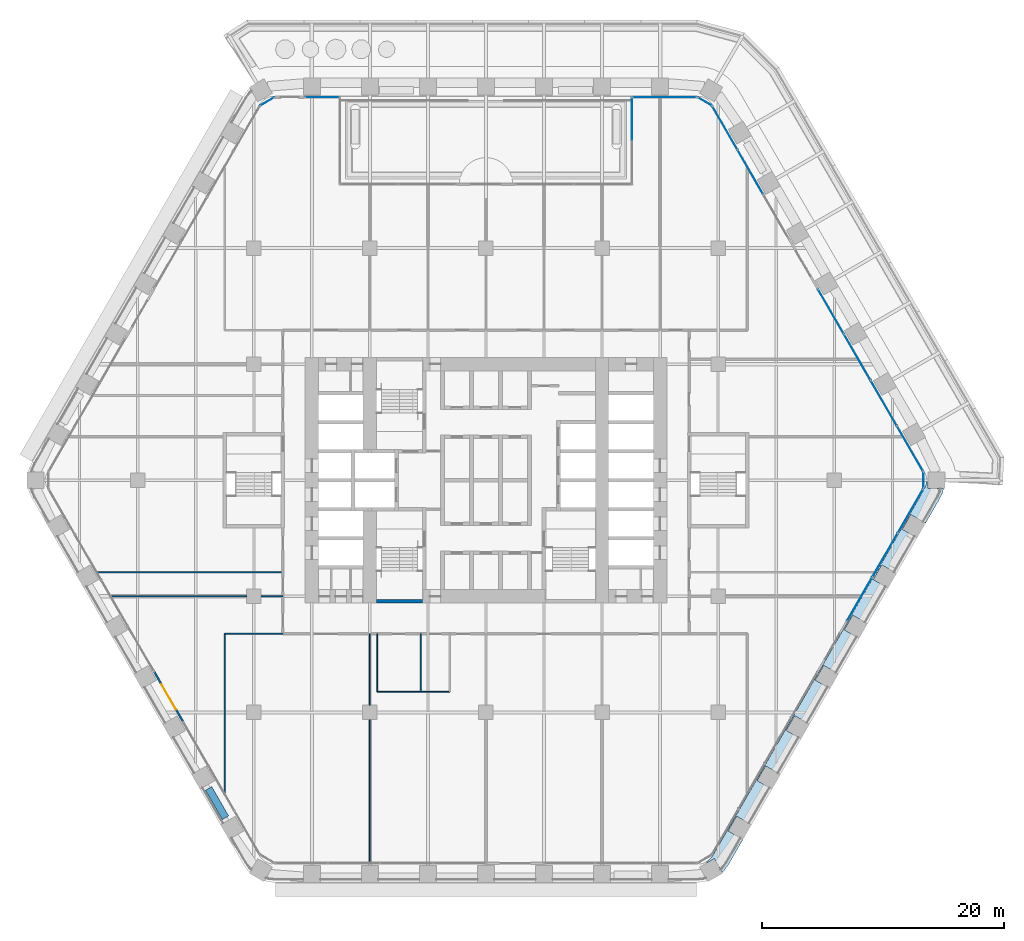
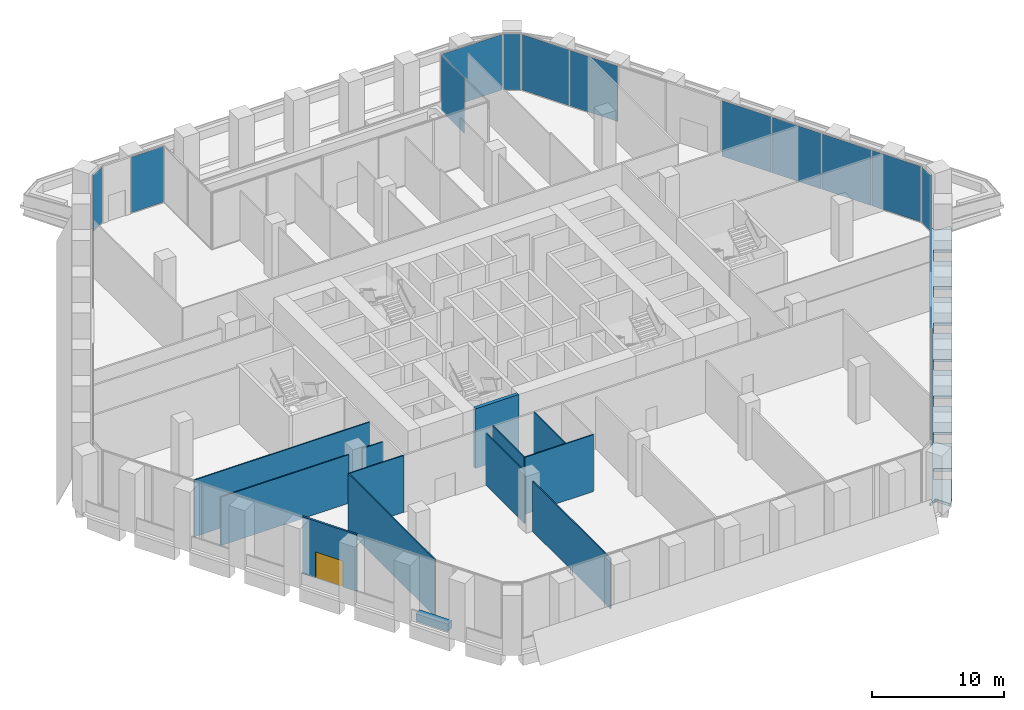
# One storey, part 18 of 30: 15 plates, 13 walls, 1 door, 1 slab, 1 opening, 9 elements without a shape of their own.
"""IFC4 building model written with IfcOpenShell, lengths in metres."""

from ifc_helpers import new_model, si_unit, direction, frame, frame_2d, origin, origin_2d, place, context, subcontext, project, spatial, polyline, rectangle, outline, extrude, material, layer, layer_set, type_object, element, fill, aggregate, save


model = new_model("IFC4")

# Units and contexts
model_context = context("Model", 3, precision=1e-05, world=origin(), true_north=direction((0.0, 1.0)))
body_context = subcontext(model_context, "Body", "Model", "MODEL_VIEW")
ifc_project = project(units=[si_unit("LENGTHUNIT", "METRE"), si_unit("AREAUNIT", "SQUARE_METRE"), si_unit("VOLUMEUNIT", "CUBIC_METRE"), si_unit("PLANEANGLEUNIT", "RADIAN"), si_unit("MASSUNIT", "GRAM", prefix="KILO")], contexts=[model_context])

# Site, building, storey
site_placement = place(None, origin())
site = spatial("IfcSite", under=ifc_project, at=site_placement, CompositionType="ELEMENT")
building_placement = place(site_placement, origin())
building = spatial("IfcBuilding", under=site, at=building_placement, Name="Kolab Exchange Tower", CompositionType="ELEMENT")
storey_placement = place(building_placement, frame((0.0, 0.0, 38.89990234375)))
storey = spatial("IfcBuildingStorey", under=building, at=storey_placement, Name="L07", CompositionType="ELEMENT", Elevation=38.89990234375)

# Slab
ifc_material_1 = material(Name="Concrete C35/45", Category="concrete")
ifc_layer_1 = layer(ifc_material_1, 0.25)
ifc_layer_set_1 = layer_set([ifc_layer_1], Name="Concrete C35/45")
slab_type = type_object("IfcSlabType", Name="LOGGIA SLAB 250", PredefinedType="FLOOR", material=ifc_layer_set_1)
slab_placement = place(storey_placement, frame((0.0, 0.0, -0.25)))
element("IfcSlab", 1, at=slab_placement, inside=storey, type_object=slab_type, Name="slab/L07/loggia/2-0", PredefinedType="FLOOR", context=body_context, shape_type="SweptSolid", body=[
    extrude(outline(polyline([(19.76611328125, -32.183837890625), (20.06591796875, -31.75537109375), (21.25, -29.70458984375), (20.03759765625, -29.004638671875), (20.737548828125, -27.792236328125), (21.949951171875, -28.4921875), (23.64990234375, -25.5478515625), (22.4375, -24.84765625), (23.137451171875, -23.63525390625), (24.35009765625, -24.335205078125), (26.050048828125, -21.390869140625), (24.837646484375, -20.69091796875), (25.53759765625, -19.478271484375), (26.75, -20.178466796875), (28.449951171875, -17.23388671875), (27.237548828125, -16.533935546875), (27.9375, -15.321533203125), (29.14990234375, -16.021484375), (30.85009765625, -13.076904296875), (29.637451171875, -12.376953125), (30.337646484375, -11.16455078125), (31.550048828125, -11.864501953125), (33.25, -8.920166015625), (32.03759765625, -8.219970703125), (32.737548828125, -7.007568359375), (33.949951171875, -7.70751953125), (35.64990234375, -4.76318359375), (34.4375, -4.063232421875), (35.137451171875, -2.8505859375), (36.35009765625, -3.55078125), (37.533935546875, -1.5), (37.7548828125, -1.026123046875), (37.84228515625, -0.699951171875), (36.535888671875, -0.699951171875), (36.535888671875, -0.0810546875), (36.42919921875, -0.07568359375), (36.4130859375, -0.260498046875), (36.345458984375, -0.512939453125), (36.23486328125, -0.75), (18.76708984375, -31.00537109375), (18.616943359375, -31.219482421875), (18.43212890625, -31.404541015625), (18.218017578125, -31.554443359375), (18.26806640625, -31.64111328125), (18.874267578125, -31.291015625), (19.52734375, -32.42236328125), (19.76611328125, -32.183837890625)])), origin(), (0.0, 0.0, 1.0), 0.25),
])

# Curtain wall, plate
ifc_material_2 = material(Name="Aluminium EN AW-6063 T6", Category="aluminium")
curtain_wall_type = type_object("IfcCurtainWallType", Name="UNITISED LOW ZONE CURTAIN WALL", PredefinedType="NOTDEFINED", material=ifc_material_2)
curtain_wall_1_placement = place(storey_placement, origin())
curtain_wall_1 = element("IfcCurtainWall", 2, at=curtain_wall_1_placement, inside=storey, type_object=curtain_wall_type, Name="cw/L07/F1-l-1", PredefinedType="NOTDEFINED")
ifc_material_3 = material(Name="Clear insulated glazing unit", Category="glass")
ifc_layer_2 = layer(ifc_material_3, 0.02392578125)
ifc_layer_set_2 = layer_set([ifc_layer_2], Name="Clear insulated glazing unit")
plate_type = type_object("IfcPlateType", Name="UNITISED LOW ZONE GLASS PANEL 24", PredefinedType="CURTAIN_PANEL", material=ifc_layer_set_2)
plate_1_placement = place(storey_placement, frame((-13.5439453125, 31.67529296875, 0.06005859375), z_axis=(0.0, 0.0, 1.0), x_axis=(1.0, 0.0, 0.0)))
plate_1 = element("IfcPlate", 3, at=plate_1_placement, type_object=plate_type, Name="CW1 panel 1.1", PredefinedType="CURTAIN_PANEL", context=body_context, shape_type="SweptSolid", body=[
    extrude(rectangle(XDim=2.807861328125, YDim=0.02392578125, at=origin_2d()), origin(), (0.0, 0.0, 1.0), 5.1298828125),
])
aggregate(curtain_wall_1, [plate_1])

curtain_wall_2_placement = place(storey_placement, origin())
curtain_wall_2 = element("IfcCurtainWall", 4, at=curtain_wall_2_placement, inside=storey, type_object=curtain_wall_type, Name="cw/L07/F1-rr-1", PredefinedType="NOTDEFINED")
plate_2_placement = place(storey_placement, frame((12.080078125, 29.8603515625, 0.06005859375), z_axis=(0.0, 0.0, 1.0), x_axis=(0.0, 1.0, 0.0)))
plate_2 = element("IfcPlate", 5, at=plate_2_placement, type_object=plate_type, Name="CW1 panel 2.1", PredefinedType="CURTAIN_PANEL", context=body_context, shape_type="SweptSolid", body=[
    extrude(rectangle(XDim=3.510009765625, YDim=0.02392578125, at=origin_2d()), origin(), (0.0, 0.0, 1.0), 5.1298828125),
])
aggregate(curtain_wall_2, [plate_2])

curtain_wall_3_placement = place(storey_placement, origin())
curtain_wall_3 = element("IfcCurtainWall", 6, at=curtain_wall_3_placement, inside=storey, type_object=curtain_wall_type, Name="cw/L07/F1-r-1", PredefinedType="NOTDEFINED")
plate_3_placement = place(storey_placement, frame((14.77392578125, 31.67529296875, 0.06005859375), z_axis=(0.0, 0.0, 1.0), x_axis=(1.0, 0.0, 0.0)))
plate_3 = element("IfcPlate", 7, at=plate_3_placement, type_object=plate_type, Name="CW1 panel 1.1", PredefinedType="CURTAIN_PANEL", context=body_context, shape_type="SweptSolid", body=[
    extrude(rectangle(XDim=5.26806640625, YDim=0.02392578125, at=origin_2d()), origin(), (0.0, 0.0, 1.0), 5.1298828125),
])
aggregate(curtain_wall_3, [plate_3])

# Curtain wall, plates
curtain_wall_4_placement = place(storey_placement, origin())
curtain_wall_4 = element("IfcCurtainWall", 8, at=curtain_wall_4_placement, inside=storey, type_object=curtain_wall_type, Name="cw/L07/F2-1", PredefinedType="NOTDEFINED")
plate_4_placement = place(storey_placement, frame((19.760986328125, 29.1240234375, 0.06005859375), z_axis=(0.0, 0.0, 1.0), x_axis=(0.500000017564, -0.866025393644, 0.0)))
plate_4 = element("IfcPlate", 9, at=plate_4_placement, type_object=plate_type, Name="CW1 panel 1.1", PredefinedType="CURTAIN_PANEL", context=body_context, shape_type="SweptSolid", body=[
    extrude(rectangle(XDim=4.132568359375, YDim=0.02392578125, at=origin_2d()), origin(), (0.0, 0.0, 1.0), 5.1298828125),
])
plate_5_placement = place(storey_placement, frame((21.86474609375, 25.47998046875, 0.06005859375), z_axis=(0.0, 0.0, 1.0), x_axis=(0.500000017564, -0.866025393644, 0.0)))
plate_5 = element("IfcPlate", 10, at=plate_5_placement, type_object=plate_type, Name="CW1 panel 2.1", PredefinedType="CURTAIN_PANEL", context=body_context, shape_type="SweptSolid", body=[
    extrude(rectangle(XDim=4.16259765625, YDim=0.02392578125, at=origin_2d()), origin(), (0.0, 0.0, 1.0), 5.1298828125),
])
aggregate(curtain_wall_4, [plate_4, plate_5])

curtain_wall_5_placement = place(storey_placement, origin())
curtain_wall_5 = element("IfcCurtainWall", 11, at=curtain_wall_5_placement, inside=storey, type_object=curtain_wall_type, Name="cw/L07/F2-2", PredefinedType="NOTDEFINED")
plate_6_placement = place(storey_placement, frame((28.531005859375, 13.933837890625, 0.06005859375), z_axis=(0.0, 0.0, 1.0), x_axis=(0.499999968274, -0.866025422102, 0.0)))
plate_6 = element("IfcPlate", 12, at=plate_6_placement, type_object=plate_type, Name="CW1 panel 1.1", PredefinedType="CURTAIN_PANEL", context=body_context, shape_type="SweptSolid", body=[
    extrude(rectangle(XDim=4.277099609375, YDim=0.02392578125, at=origin_2d()), origin(), (0.0, 0.0, 1.0), 5.1298828125),
])
plate_7_placement = place(storey_placement, frame((30.70703125, 10.164794921875, 0.06005859375), z_axis=(0.0, 0.0, 1.0), x_axis=(0.499999968274, -0.866025422102, 0.0)))
plate_7 = element("IfcPlate", 13, at=plate_7_placement, type_object=plate_type, Name="CW1 panel 2.1", PredefinedType="CURTAIN_PANEL", context=body_context, shape_type="SweptSolid", body=[
    extrude(rectangle(XDim=4.306884765625, YDim=0.02392578125, at=origin_2d()), origin(), (0.0, 0.0, 1.0), 5.1298828125),
])
plate_8_placement = place(storey_placement, frame((32.890380859375, 6.3828125, 0.06005859375), z_axis=(0.0, 0.0, 1.0), x_axis=(0.499999968274, -0.866025422102, 0.0)))
plate_8 = element("IfcPlate", 14, at=plate_8_placement, type_object=plate_type, Name="CW1 panel 3.1", PredefinedType="CURTAIN_PANEL", context=body_context, shape_type="SweptSolid", body=[
    extrude(rectangle(XDim=4.306884765625, YDim=0.02392578125, at=origin_2d()), origin(), (0.0, 0.0, 1.0), 5.1298828125),
])
plate_9_placement = place(storey_placement, frame((35.06640625, 2.614013671875, 0.06005859375), z_axis=(0.0, 0.0, 1.0), x_axis=(0.499999968274, -0.866025422102, 0.0)))
plate_9 = element("IfcPlate", 15, at=plate_9_placement, type_object=plate_type, Name="CW1 panel 4.1", PredefinedType="CURTAIN_PANEL", context=body_context, shape_type="SweptSolid", body=[
    extrude(rectangle(XDim=4.277099609375, YDim=0.02392578125, at=origin_2d()), origin(), (0.0, 0.0, 1.0), 5.1298828125),
])
aggregate(curtain_wall_5, [plate_6, plate_7, plate_8, plate_9])

curtain_wall_6_placement = place(storey_placement, origin())
curtain_wall_6 = element("IfcCurtainWall", 16, at=curtain_wall_6_placement, inside=storey, type_object=curtain_wall_type, Name="cw/L07/F3-1", PredefinedType="NOTDEFINED")
plate_10_placement = place(storey_placement, frame((35.1025390625, -2.551513671875, 0.06005859375), z_axis=(0.0, 0.0, 1.0), x_axis=(-0.499999958358, -0.866025427826, 0.0)))
plate_10 = element("IfcPlate", 17, at=plate_10_placement, type_object=plate_type, Name="CW1 panel 1.1", PredefinedType="CURTAIN_PANEL", context=body_context, shape_type="SweptSolid", body=[
    extrude(rectangle(XDim=4.132568359375, YDim=0.02392578125, at=origin_2d()), origin(), (0.0, 0.0, 1.0), 5.1298828125),
])
plate_11_placement = place(storey_placement, frame((32.998779296875, -6.1953125, 0.06005859375), z_axis=(0.0, 0.0, 1.0), x_axis=(-0.499999958358, -0.866025427826, 0.0)))
plate_11 = element("IfcPlate", 18, at=plate_11_placement, type_object=plate_type, Name="CW1 panel 2.1", PredefinedType="CURTAIN_PANEL", context=body_context, shape_type="SweptSolid", body=[
    extrude(rectangle(XDim=4.16259765625, YDim=0.02392578125, at=origin_2d()), origin(), (0.0, 0.0, 1.0), 5.1298828125),
])
plate_12_placement = place(storey_placement, frame((30.894775390625, -9.83935546875, 0.06005859375), z_axis=(0.0, 0.0, 1.0), x_axis=(-0.499999958358, -0.866025427826, 0.0)))
plate_12 = element("IfcPlate", 19, at=plate_12_placement, type_object=plate_type, Name="CW1 panel 3.1", PredefinedType="CURTAIN_PANEL", context=body_context, shape_type="SweptSolid", body=[
    extrude(rectangle(XDim=4.132568359375, YDim=0.02392578125, at=origin_2d()), origin(), (0.0, 0.0, 1.0), 5.1298828125),
])
aggregate(curtain_wall_6, [plate_10, plate_11, plate_12])

# Curtain wall, plate
curtain_wall_7_placement = place(storey_placement, origin())
curtain_wall_7 = element("IfcCurtainWall", 20, at=curtain_wall_7_placement, inside=storey, type_object=curtain_wall_type, Name="cw/L07/F1F2-corner", PredefinedType="NOTDEFINED")
plate_13_placement = place(storey_placement, frame((18.082763671875, 31.3203125, 0.06005859375), z_axis=(0.0, 0.0, 1.0), x_axis=(0.866025390869, -0.50000002237, 0.0)))
plate_13 = element("IfcPlate", 21, at=plate_13_placement, type_object=plate_type, Name="CW1 panel 1.1", PredefinedType="CURTAIN_PANEL", context=body_context, shape_type="SweptSolid", body=[
    extrude(rectangle(XDim=1.300048828125, YDim=0.02392578125, at=origin_2d()), origin(), (0.0, 0.0, 1.0), 5.1298828125),
])
aggregate(curtain_wall_7, [plate_13])

curtain_wall_8_placement = place(storey_placement, origin())
curtain_wall_8 = element("IfcCurtainWall", 22, at=curtain_wall_8_placement, inside=storey, type_object=curtain_wall_type, Name="cw/L07/F2F3-corner", PredefinedType="NOTDEFINED")
plate_14_placement = place(storey_placement, frame((36.165771484375, 0.0, 0.06005859375), z_axis=(0.0, 0.0, 1.0), x_axis=(0.0, -1.0, 0.0)))
plate_14 = element("IfcPlate", 23, at=plate_14_placement, type_object=plate_type, Name="CW1 panel 1.1", PredefinedType="CURTAIN_PANEL", context=body_context, shape_type="SweptSolid", body=[
    extrude(rectangle(XDim=1.300048828125, YDim=0.02392578125, at=origin_2d()), origin(), (0.0, 0.0, 1.0), 5.1298828125),
])
aggregate(curtain_wall_8, [plate_14])

curtain_wall_9_placement = place(storey_placement, origin())
curtain_wall_9 = element("IfcCurtainWall", 24, at=curtain_wall_9_placement, inside=storey, type_object=curtain_wall_type, Name="cw/L07/F6F1-corner", PredefinedType="NOTDEFINED")
plate_15_placement = place(storey_placement, frame((-18.082763671875, 31.3203125, 0.06005859375), z_axis=(0.0, 0.0, 1.0), x_axis=(0.866025390869, 0.50000002237, 0.0)))
plate_15 = element("IfcPlate", 25, at=plate_15_placement, type_object=plate_type, Name="CW1 panel 1.1", PredefinedType="CURTAIN_PANEL", context=body_context, shape_type="SweptSolid", body=[
    extrude(rectangle(XDim=1.300048828125, YDim=0.02392578125, at=origin_2d()), origin(), (0.0, 0.0, 1.0), 5.1298828125),
])
aggregate(curtain_wall_9, [plate_15])

# Wall, opening, door
ifc_layer_3 = layer(ifc_material_2, 0.159912109375)
ifc_layer_set_3 = layer_set([ifc_layer_3], Name="Aluminium EN AW-6063 T6")
wall_type_1 = type_object("IfcWallType", Name="DOOR SURROUND WALL 160 ALUMINIUM FRAMED", PredefinedType="PARTITIONING", material=ifc_layer_set_3)
wall_1_placement = place(storey_placement, frame((-25.046630859375, -19.96875, 0.0), z_axis=(0.0, 0.0, 1.0), x_axis=(-0.5000167099, 0.866015756104, 0.0)))
wall_1 = element("IfcWall", 26, at=wall_1_placement, inside=storey, type_object=wall_type_1, Name="Door surround wall", PredefinedType="PARTITIONING", context=body_context, shape_type="SweptSolid", body=[
    extrude(rectangle(XDim=4.739990234375, YDim=0.159912109375, at=frame_2d((2.3701171875, 0.0))), origin(), (0.0, 0.0, 1.0), 5.25),
])
opening_placement = place(wall_1_placement, frame((1.169921875, 0.0, 0.0)))
opening = element("IfcOpeningElement", 27, at=opening_placement, cuts=wall_1, Name="Opening GD1-021", PredefinedType="OPENING", context=body_context, shape_type="SweptSolid", body=[
    extrude(rectangle(XDim=2.39990234375, YDim=2.39990234375, at=frame_2d((1.199951171875, 1.199951171875))), frame((0.0, 0.08984375, 0.0), z_axis=(0.0, -1.0, 0.0), x_axis=(1.0, 0.0, 0.0)), (0.0, 0.0, 1.0), 0.179931640625),
])
door_type = type_object("IfcDoorType", Name="LOGGIA SLIDING GLASS DOOR 2400 X 2400", OperationType="DOUBLE_DOOR_SINGLE_SWING", PredefinedType="DOOR", material=ifc_material_2)
door_placement = place(opening_placement, origin())
door = element("IfcDoor", 28, at=door_placement, inside=storey, type_object=door_type, Name="Loggia door", OperationType="DOUBLE_DOOR_SLIDING", OverallHeight=2.39990234375, OverallWidth=2.39990234375, PredefinedType="DOOR", context=body_context, shape_type="SweptSolid", body=[
    extrude(rectangle(XDim=2.39990234375, YDim=2.39990234375, at=frame_2d((1.199951171875, 1.199951171875))), frame((0.0, 0.02490234375, 0.0), z_axis=(0.0, -1.0, 0.0), x_axis=(1.0, 0.0, 0.0)), (0.0, 0.0, 1.0), 0.050048828125),
])
fill(opening, door)

# Walls
ifc_material_4 = material(Name="Gypsum board", Category="gypsum")
ifc_layer_4 = layer(ifc_material_4, 0.10009765625)
ifc_layer_set_4 = layer_set([ifc_layer_4], Name="Gypsum board")
wall_type_2 = type_object("IfcWallType", Name="PARTITION 100", PredefinedType="PARTITIONING", material=ifc_layer_set_4)
for number, where, z_axis, x_axis, name in (
    (29, (-5.39990234375, -17.5, 0.0), (0.0, 0.0, 1.0), (0.0, 1.0, 0.0), "Partition 017"),
    (30, (-9.0, -17.5, 0.0), (0.0, 0.0, 1.0), (0.0, 1.0, 0.0), "Partition 018"),
):
    element("IfcWall", number, at=place(storey_placement, frame(where, z_axis=z_axis, x_axis=x_axis)), inside=storey, type_object=wall_type_2, Name=name, PredefinedType="PARTITIONING", context=body_context, shape_type="SweptSolid", body=[
        extrude(rectangle(XDim=4.800048828125, YDim=0.10009765625, at=frame_2d((2.39990234375, 0.0))), origin(), (0.0, 0.0, 1.0), 5.25),
    ])
wall_2_placement = place(storey_placement, frame((-9.60009765625, -31.58544921875, 0.0), z_axis=(0.0, 0.0, 1.0), x_axis=(0.0, 1.0, 0.0)))
element("IfcWall", 31, at=wall_2_placement, inside=storey, type_object=wall_type_2, Name="Partition 019", PredefinedType="PARTITIONING", context=body_context, shape_type="SweptSolid", body=[
    extrude(rectangle(XDim=11.785400390625, YDim=0.10009765625, at=frame_2d((5.892578125, 0.0))), origin(), (0.0, 0.0, 1.0), 4.64208984375),
])
wall_3_placement = place(storey_placement, frame((-9.60009765625, -18.60009765625, 0.0), z_axis=(0.0, 0.0, 1.0), x_axis=(0.0, 1.0, 0.0)))
element("IfcWall", 32, at=wall_3_placement, inside=storey, type_object=wall_type_2, Name="Partition 020", PredefinedType="PARTITIONING", context=body_context, shape_type="SweptSolid", body=[
    extrude(rectangle(XDim=5.900146484375, YDim=0.10009765625, at=frame_2d((2.9501953125, 0.0))), origin(), (0.0, 0.0, 1.0), 4.793212890625),
])
wall_4_placement = place(storey_placement, frame((-21.60009765625, -25.8583984375, 0.0), z_axis=(0.0, 0.0, 1.0), x_axis=(0.0, 1.0, 0.0)))
element("IfcWall", 33, at=wall_4_placement, inside=storey, type_object=wall_type_2, Name="Partition 028", PredefinedType="PARTITIONING", context=body_context, shape_type="SweptSolid", body=[
    extrude(rectangle(XDim=13.158447265625, YDim=0.10009765625, at=frame_2d((6.5791015625, 0.0))), origin(), (0.0, 0.0, 1.0), 5.25),
])
wall_5_placement = place(storey_placement, frame((-9.0, -17.5, 0.0), z_axis=(0.0, 0.0, 1.0), x_axis=(1.0, 0.0, 0.0)))
element("IfcWall", 34, at=wall_5_placement, inside=storey, type_object=wall_type_2, Name="Partition 030", PredefinedType="PARTITIONING", context=body_context, shape_type="SweptSolid", body=[
    extrude(rectangle(XDim=6.0, YDim=0.10009765625, at=frame_2d((3.0, 0.0))), origin(), (0.0, 0.0, 1.0), 5.25),
])
wall_6_placement = place(storey_placement, frame((-21.60009765625, -12.699951171875, 0.0), z_axis=(0.0, 0.0, 1.0), x_axis=(1.0, 0.0, 0.0)))
element("IfcWall", 35, at=wall_6_placement, inside=storey, type_object=wall_type_2, Name="Partition 031", PredefinedType="PARTITIONING", context=body_context, shape_type="SweptSolid", body=[
    extrude(rectangle(XDim=4.800048828125, YDim=0.10009765625, at=frame_2d((2.39990234375, 0.0))), origin(), (0.0, 0.0, 1.0), 5.25),
])
wall_7_placement = place(storey_placement, frame((-30.98681640625, -9.60009765625, 0.0), z_axis=(0.0, 0.0, 1.0), x_axis=(1.0, 0.0, 0.0)))
element("IfcWall", 36, at=wall_7_placement, inside=storey, type_object=wall_type_2, Name="Partition 033", PredefinedType="PARTITIONING", context=body_context, shape_type="SweptSolid", body=[
    extrude(rectangle(XDim=11.186767578125, YDim=0.10009765625, at=frame_2d((5.59326171875, 0.0))), origin(), (0.0, 0.0, 1.0), 4.488037109375),
])
wall_8_placement = place(storey_placement, frame((-18.60009765625, -9.60009765625, 0.0), z_axis=(0.0, 0.0, 1.0), x_axis=(1.0, 0.0, 0.0)))
element("IfcWall", 37, at=wall_8_placement, inside=storey, type_object=wall_type_2, Name="Partition 034", PredefinedType="PARTITIONING", context=body_context, shape_type="SweptSolid", body=[
    extrude(rectangle(XDim=1.800048828125, YDim=0.10009765625, at=frame_2d((0.89990234375, 0.0))), origin(), (0.0, 0.0, 1.0), 4.64208984375),
])
wall_9_placement = place(storey_placement, frame((-32.1416015625, -7.60009765625, 0.0), z_axis=(0.0, 0.0, 1.0), x_axis=(1.0, 0.0, 0.0)))
element("IfcWall", 38, at=wall_9_placement, inside=storey, type_object=wall_type_2, Name="Partition 037", PredefinedType="PARTITIONING", context=body_context, shape_type="SweptSolid", body=[
    extrude(rectangle(XDim=15.341552734375, YDim=0.10009765625, at=frame_2d((7.6708984375, 0.0))), origin(), (0.0, 0.0, 1.0), 5.25),
])
ifc_material_5 = material(Name="Granite facing", Category="masonry")
ifc_layer_5 = layer(ifc_material_5, 0.0400390625)
ifc_material_6 = material(Name="Concrete C40/50 precast", Category="concrete")
ifc_layer_6 = layer(ifc_material_6, 0.56005859375)
ifc_layer_set_5 = layer_set([ifc_layer_5, ifc_layer_6], Name="Concrete C40/50 precast")
wall_type_3 = type_object("IfcWallType", Name="PLANTER BOX 600 X 700 SOIL DEPTH 550", PredefinedType="USERDEFINED", material=ifc_layer_set_5)
wall_10_placement = place(storey_placement, frame((-21.537109375, -27.907470703125, 0.0), z_axis=(0.0, 0.0, 1.0), x_axis=(-0.49998411664, 0.866034573852, 0.0)))
element("IfcWall", 39, at=wall_10_placement, inside=storey, type_object=wall_type_3, Name="Planter", ObjectType="PLANTER", PredefinedType="USERDEFINED", context=body_context, shape_type="SweptSolid", body=[
    extrude(rectangle(XDim=2.7998046875, YDim=0.60009765625, at=frame_2d((1.39990234375, 0.0))), origin(), (0.0, 0.0, 1.0), 0.7001953125),
])
ifc_material_7 = material(Name="Concrete C50/60", Category="concrete")
ifc_layer_7 = layer(ifc_material_7, 0.300048828125)
ifc_layer_set_6 = layer_set([ifc_layer_7], Name="Concrete C50/60")
wall_type_4 = type_object("IfcWallType", Name="STAIR ENCLOSURE WALL 300 C50/60", PredefinedType="STANDARD", material=ifc_layer_set_6)
wall_11_placement = place(storey_placement, frame((-9.050048828125, -10.0, -0.25), z_axis=(0.0, 0.0, 1.0), x_axis=(1.0, 0.0, 0.0)))
element("IfcWall", 40, at=wall_11_placement, inside=storey, type_object=wall_type_4, Name="wall/L07/core/000", PredefinedType="STANDARD", context=body_context, shape_type="SweptSolid", body=[
    extrude(rectangle(XDim=3.800048828125, YDim=0.300048828125, at=frame_2d((1.89990234375, 0.0))), origin(), (0.0, 0.0, 1.0), 5.5),
])

save(model, "model.ifc")
